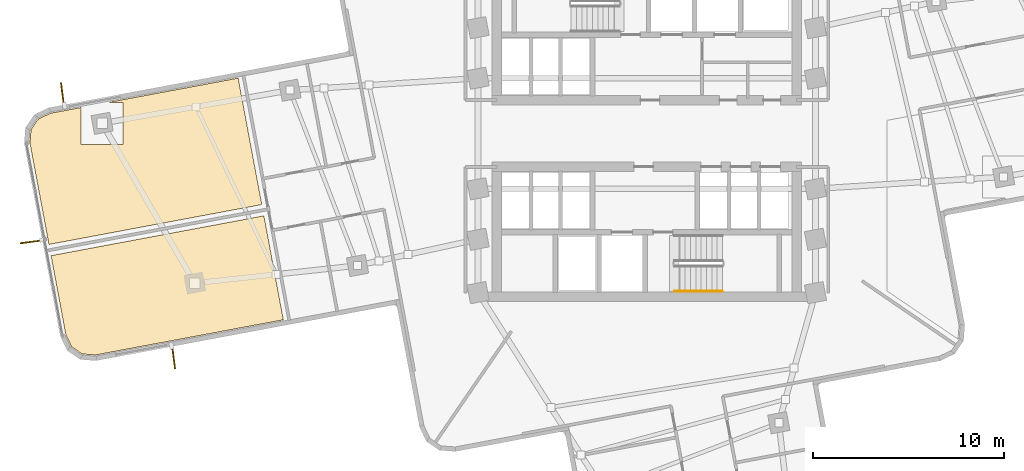
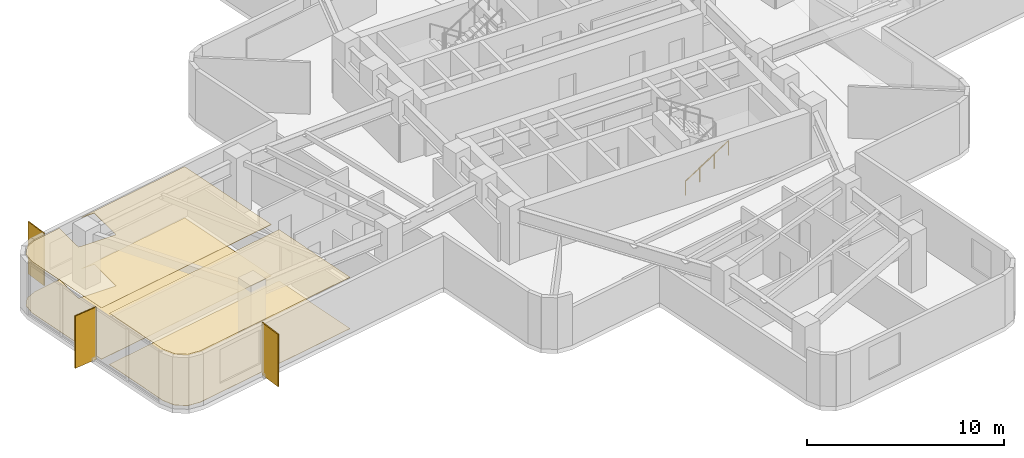
# One storey, part 10 of 12: 4 coverings, 3 shading devices, 1 railing.
"""IFC4 building model written with IfcOpenShell, lengths in metres."""

import ifcopenshell
import ifcopenshell.guid

model = None  # the IFC model being written
_history = None  # IfcOwnerHistory: only IFC2X3 demands one
_inside = {}  # id of a spatial element -> (the spatial element, [elements in it])
_under = {}  # id of a project, library or spatial element -> (it, [spatial elements below it])
_declared = {}  # id of a project -> (the project, [libraries it declares])
_typed = {}  # id of a type object -> (the type object, [elements of that type])
_made_of = {}  # id of a material, layer set ... -> (it, [elements and type objects made of it])


def new_model(schema):
    """Start an empty IFC model of exactly this schema.

    Asked for "IFC4X3", IfcOpenShell would pick the latest addendum, in which some entities
    have other attributes; the version numbers below select the first issue.
    IFC2X3 requires an IfcOwnerHistory on every rooted entity: one is made here for all.
    """
    global model, _history
    if schema == "IFC4X3":
        model = ifcopenshell.file(schema_version=(4, 3, 0, 0))
    else:
        model = ifcopenshell.file(schema=schema)
    _inside.clear()
    _under.clear()
    _declared.clear()
    _typed.clear()
    _made_of.clear()
    _history = None
    if model.schema == "IFC2X3":
        org = make("IfcOrganization", Name="unknown")
        user = make(
            "IfcPersonAndOrganization",
            ThePerson=make("IfcPerson", FamilyName="unknown"),
            TheOrganization=org,
        )
        app = make(
            "IfcApplication",
            ApplicationDeveloper=org,
            Version="unknown",
            ApplicationFullName="unknown",
            ApplicationIdentifier="unknown",
        )
        _history = make(
            "IfcOwnerHistory",
            OwningUser=user,
            OwningApplication=app,
            ChangeAction="ADDED",
            CreationDate=0,
        )
    return model


def make(cls, **values):
    """One entity of the class cls with the attributes given. An attribute that is None is left unset."""
    return model.create_entity(
        cls, **{name: value for name, value in values.items() if value is not None}
    )


def rooted(cls, **values):
    """An entity with a GlobalId (a new one), such as an element, a storey or a relation."""
    return make(cls, GlobalId=ifcopenshell.guid.new(), OwnerHistory=_history, **values)


def si_unit(unit_type, name, prefix=None):
    """IfcSIUnit, for example si_unit("LENGTHUNIT", "METRE", prefix="MILLI")."""
    return make("IfcSIUnit", UnitType=unit_type, Prefix=prefix, Name=name)


def assignment(units):
    """IfcUnitAssignment: the units of a project."""
    return None if units is None else make("IfcUnitAssignment", Units=units)


def point(xyz):
    """IfcCartesianPoint."""
    return None if xyz is None else make("IfcCartesianPoint", Coordinates=xyz)


def direction(xyz):
    """IfcDirection."""
    return None if xyz is None else make("IfcDirection", DirectionRatios=xyz)


def frame(location, z_axis=None, x_axis=None):
    """IfcAxis2Placement3D, a coordinate frame: its origin and axes. An axis left out is left unset."""
    return make(
        "IfcAxis2Placement3D",
        Location=point(location),
        Axis=direction(z_axis),
        RefDirection=direction(x_axis),
    )


def frame_2d(location, x_axis=None):
    """IfcAxis2Placement2D, a coordinate frame in the plane: its origin and x axis."""
    return make(
        "IfcAxis2Placement2D", Location=point(location), RefDirection=direction(x_axis)
    )


def origin():
    """The frame at (0, 0, 0) with its axes left unset."""
    return frame((0.0, 0.0, 0.0))


def origin_2d():
    """The frame at (0, 0) in the plane with its x axis left unset."""
    return frame_2d((0.0, 0.0))


def place(relative_to, where):
    """IfcLocalPlacement: puts the frame where relative to a parent placement (None: the world)."""
    return make(
        "IfcLocalPlacement", PlacementRelTo=relative_to, RelativePlacement=where
    )


def context(
    kind, dimensions, precision=None, world=None, true_north=None, identifier=None
):
    """IfcGeometricRepresentationContext, for example the 3D "Model" context."""
    return make(
        "IfcGeometricRepresentationContext",
        ContextIdentifier=identifier,
        ContextType=kind,
        CoordinateSpaceDimension=dimensions,
        Precision=precision,
        WorldCoordinateSystem=world,
        TrueNorth=true_north,
    )


def subcontext(parent, identifier, kind, view, scale=None):
    """IfcGeometricRepresentationSubContext, for example "Body" below "Model"."""
    return make(
        "IfcGeometricRepresentationSubContext",
        ContextIdentifier=identifier,
        ContextType=kind,
        ParentContext=parent,
        TargetScale=scale,
        TargetView=view,
    )


def project(units=None, contexts=None):
    """IfcProject with its units and contexts."""
    return rooted(
        "IfcProject",
        Name="project",
        RepresentationContexts=contexts,
        UnitsInContext=assignment(units),
    )


def spatial(cls, under=None, at=None, **own):
    """A site, building, storey or space (cls), placed at a placement, below another one or the project."""
    s = rooted(cls, ObjectPlacement=at, **own)
    if under is not None:
        _under.setdefault(under.id(), (under, []))[1].append(s)
    return s


def polyline(points):
    """IfcPolyline through the points."""
    return make("IfcPolyline", Points=[point(p) for p in points])


def profile(cls, at=None, kind="AREA", **sizes):
    """A parametric profile (cls). Its sizes go by their IFC names, for example OverallWidth=200.0."""
    return make(cls, ProfileType=kind, Position=at, **sizes)


def rectangle(**sizes):
    """IfcRectangleProfileDef."""
    return profile("IfcRectangleProfileDef", **sizes)


def circle(**sizes):
    """IfcCircleProfileDef."""
    return profile("IfcCircleProfileDef", **sizes)


def outline(outer, holes=None, kind="AREA"):
    """IfcArbitraryClosedProfileDef: a profile drawn as a closed curve; with holes, ...WithVoids."""
    if holes is None:
        return make("IfcArbitraryClosedProfileDef", ProfileType=kind, OuterCurve=outer)
    return make(
        "IfcArbitraryProfileDefWithVoids",
        ProfileType=kind,
        OuterCurve=outer,
        InnerCurves=holes,
    )


def extrude(swept, where, along, depth):
    """IfcExtrudedAreaSolid: the profile swept, set in the frame where, extruded along a direction by depth."""
    return make(
        "IfcExtrudedAreaSolid",
        SweptArea=swept,
        Position=where,
        ExtrudedDirection=direction(along),
        Depth=depth,
    )


def shape(context_of_items, identifier, shape_type, items):
    """IfcShapeRepresentation: the items that make up one representation, for example the "Body"."""
    return make(
        "IfcShapeRepresentation",
        ContextOfItems=context_of_items,
        RepresentationIdentifier=identifier,
        RepresentationType=shape_type,
        Items=items,
    )


def material(Name=None, Category=None):
    """IfcMaterial."""
    return make("IfcMaterial", Name=Name, Category=Category)


def layer(
    of_material, thickness, ventilated=None, Name=None, Category=None, Priority=None
):
    """IfcMaterialLayer: one layer of a wall or slab, of a material (None: an air gap)."""
    return make(
        "IfcMaterialLayer",
        Material=of_material,
        LayerThickness=thickness,
        IsVentilated=ventilated,
        Name=Name,
        Category=Category,
        Priority=Priority,
    )


def layer_set(layers, Name=None):
    """IfcMaterialLayerSet."""
    return make("IfcMaterialLayerSet", MaterialLayers=layers, LayerSetName=Name)


def made_of(thing, what):
    """Note that an element or type object is made of a material, layer set ...; save() writes the relation."""
    if what is not None:
        _made_of.setdefault(what.id(), (what, []))[1].append(thing)
    return thing


def type_object(cls, material=None, **own):
    """A type object (cls), such as IfcWallType, which elements share."""
    return made_of(rooted(cls, **own), material)


def element(
    cls,
    number,
    at=None,
    inside=None,
    cuts=None,
    type_object=None,
    material=None,
    context=None,
    identifier="Body",
    shape_type=None,
    held_by="IfcProductDefinitionShape",
    body=None,
    shapes=None,
    **own,
):
    """One element of the class cls, such as IfcWall. Its Tag is "e" and its number.

    at: its placement. inside: the storey or other place that contains it. cuts: it is an
    opening in that element (IfcRelVoidsElement). A single representation is given by context,
    identifier, shape_type and body (its items); several are given by shapes. held_by: the class
    of the entity that holds the representations. save() writes the other relations.
    """
    e = rooted(cls, Tag="e%d" % number, ObjectPlacement=at, **own)
    if body is not None:
        shapes = [shape(context, identifier, shape_type, body)]
    if shapes is not None:
        e.Representation = make(held_by, Representations=shapes)
    if inside is not None:
        _inside.setdefault(inside.id(), (inside, []))[1].append(e)
    if cuts is not None:
        rooted(
            "IfcRelVoidsElement", RelatingBuildingElement=cuts, RelatedOpeningElement=e
        )
    if type_object is not None:
        _typed.setdefault(type_object.id(), (type_object, []))[1].append(e)
    return made_of(e, material)


def aggregate(whole, parts):
    """IfcRelAggregates: a whole, such as a stair, and the parts it consists of."""
    return rooted("IfcRelAggregates", RelatingObject=whole, RelatedObjects=parts)


def save(model, path):
    """Write the relations noted so far, then the file.

    IfcRelAggregates (storeys below a building ...), IfcRelContainedInSpatialStructure (elements
    in a storey), IfcRelDefinesByType, IfcRelAssociatesMaterial and IfcRelDeclares: one each for
    every whole, place, type object, material and project.
    """
    for whole, parts in _under.values():
        aggregate(whole, parts)
    for where, things in _inside.values():
        rooted(
            "IfcRelContainedInSpatialStructure",
            RelatedElements=things,
            RelatingStructure=where,
        )
    for kind, things in _typed.values():
        rooted("IfcRelDefinesByType", RelatedObjects=things, RelatingType=kind)
    for what, things in _made_of.values():
        rooted("IfcRelAssociatesMaterial", RelatedObjects=things, RelatingMaterial=what)
    for by, libraries in _declared.values():
        rooted("IfcRelDeclares", RelatingContext=by, RelatedDefinitions=libraries)
    model.write(path)


model = new_model("IFC4")

# Units and contexts
model_context = context("Model", 3, precision=1e-05, world=origin(), true_north=direction((0.0, 1.0)))
body_context = subcontext(model_context, "Body", "Model", "MODEL_VIEW")
ifc_project = project(units=[si_unit("LENGTHUNIT", "METRE"), si_unit("AREAUNIT", "SQUARE_METRE"), si_unit("VOLUMEUNIT", "CUBIC_METRE"), si_unit("PLANEANGLEUNIT", "RADIAN"), si_unit("MASSUNIT", "GRAM", prefix="KILO")], contexts=[model_context])

# Site, building, storey
site_placement = place(None, origin())
site = spatial("IfcSite", under=ifc_project, at=site_placement, CompositionType="ELEMENT")
building_placement = place(site_placement, origin())
building = spatial("IfcBuilding", under=site, at=building_placement, Name="Solmarez Civic Tower", CompositionType="ELEMENT")
storey_placement = place(building_placement, frame((0.0, 0.0, 103.679931640625)))
storey = spatial("IfcBuildingStorey", under=building, at=storey_placement, Name="L27", CompositionType="ELEMENT", Elevation=103.679931640625)

# Coverings
ifc_material_1 = material(Name="Perforated Mineral-Fibre Acoustic Ceiling")
ifc_layer_1 = layer(ifc_material_1, 0.02490234375)
ifc_layer_set_1 = layer_set([ifc_layer_1], Name="Perforated Mineral-Fibre Acoustic Ceiling")
covering_type_1 = type_object("IfcCoveringType", Name="COV-CEIL-ACOUSTIC", PredefinedType="CEILING", material=ifc_layer_set_1)
covering_1_placement = place(storey_placement, frame((0.0, 0.0, 3.175048828125)))
element("IfcCovering", 1, at=covering_1_placement, inside=storey, type_object=covering_type_1, Name="L27 Suspended Acoustic Ceiling 2", PredefinedType="CEILING", context=body_context, shape_type="SweptSolid", body=[
    extrude(outline(polyline([(-21.44091796875, 2.905029296875), (-28.239013671875, 1.633056640625), (-27.47607421875, 1.633056640625), (-27.47607421875, -0.56689453125), (-29.676025390625, -0.56689453125), (-29.676025390625, 1.364013671875), (-31.2900390625, 1.06201171875), (-31.928955078125, 0.756103515625), (-32.305908203125, 0.205078125), (-32.360107421875, -0.5009765625), (-31.364990234375, -5.819091796875), (-20.198974609375, -3.72900390625), (-21.44091796875, 2.905029296875)])), origin(), (0.0, 0.0, 1.0), 0.02490234375),
])
covering_2_placement = place(storey_placement, frame((0.0, 0.0, 3.175048828125)))
element("IfcCovering", 2, at=covering_2_placement, inside=storey, type_object=covering_type_1, Name="L27 Suspended Acoustic Ceiling 5", PredefinedType="CEILING", context=body_context, shape_type="SweptSolid", body=[
    extrude(outline(polyline([(-31.25390625, -6.408935546875), (-30.47998046875, -10.547119140625), (-30.174072265625, -11.18603515625), (-29.623046875, -11.56298828125), (-28.9169921875, -11.616943359375), (-19.068115234375, -9.77392578125), (-20.089111328125, -4.319091796875), (-31.25390625, -6.408935546875)])), origin(), (0.0, 0.0, 1.0), 0.02490234375),
])
ifc_material_2 = material(Name="Polished Tropical Stone Terrazzo Flooring", Category="masonry")
ifc_layer_2 = layer(ifc_material_2, 0.02001953125)
ifc_layer_set_2 = layer_set([ifc_layer_2], Name="Polished Tropical Stone Terrazzo Flooring")
covering_type_2 = type_object("IfcCoveringType", Name="COV-FLOOR-TERRAZZO", PredefinedType="FLOORING", material=ifc_layer_set_2)
covering_3_placement = place(storey_placement, origin())
element("IfcCovering", 3, at=covering_3_placement, inside=storey, type_object=covering_type_2, Name="L27 Terrazzo Floor Finish 2", PredefinedType="FLOORING", context=body_context, shape_type="SweptSolid", body=[
    extrude(outline(polyline([(-21.44091796875, 2.905029296875), (-28.239013671875, 1.633056640625), (-27.47607421875, 1.633056640625), (-27.47607421875, -0.56689453125), (-29.676025390625, -0.56689453125), (-29.676025390625, 1.364013671875), (-31.2900390625, 1.06201171875), (-31.928955078125, 0.756103515625), (-32.305908203125, 0.205078125), (-32.360107421875, -0.5009765625), (-31.364990234375, -5.819091796875), (-20.198974609375, -3.72900390625), (-21.44091796875, 2.905029296875)])), origin(), (0.0, 0.0, 1.0), 0.02001953125),
])
covering_4_placement = place(storey_placement, origin())
element("IfcCovering", 4, at=covering_4_placement, inside=storey, type_object=covering_type_2, Name="L27 Terrazzo Floor Finish 5", PredefinedType="FLOORING", context=body_context, shape_type="SweptSolid", body=[
    extrude(outline(polyline([(-31.25390625, -6.408935546875), (-30.47998046875, -10.547119140625), (-30.174072265625, -11.18603515625), (-29.623046875, -11.56298828125), (-28.9169921875, -11.616943359375), (-19.068115234375, -9.77392578125), (-20.089111328125, -4.319091796875), (-31.25390625, -6.408935546875)])), origin(), (0.0, 0.0, 1.0), 0.02001953125),
])

# Shading devices
ifc_material_3 = material(Name="Bronze Anodised Aluminium EN AW-6063 T6", Category="aluminium")
ifc_layer_3 = layer(ifc_material_3, 0.06494140625)
ifc_layer_set_3 = layer_set([ifc_layer_3], Name="Bronze Anodised Aluminium EN AW-6063 T6")
shading_device_type = type_object("IfcShadingDeviceType", Name="FIN-BRONZE-Z12", PredefinedType="USERDEFINED", material=ifc_layer_set_3)
for number, where, z_axis, x_axis, name in (
    (5, (-24.8359375, -11.673095703125, -0.0400390625), (0.0, 0.0, 1.0), (0.128362886159, -0.991727265662, 0.0), "L27 Anodised Bronze Solar Fin FIN-L27-01"),
    (6, (-32.2109375, -5.672119140625, -0.0400390625), (0.0, 0.0, 1.0), (-0.991742940745, -0.128241722859, 0.0), "L27 Anodised Bronze Solar Fin FIN-L27-02"),
    (7, (-30.64990234375, 2.0009765625, -0.0400390625), (0.0, 0.0, 1.0), (-0.128362886159, 0.991727265662, 0.0), "L27 Anodised Bronze Solar Fin FIN-L27-03"),
):
    element("IfcShadingDevice", number, at=place(storey_placement, frame(where, z_axis=z_axis, x_axis=x_axis)), inside=storey, type_object=shading_device_type, Name=name, ObjectType="FIN", PredefinedType="USERDEFINED", context=body_context, shape_type="SweptSolid", body=[
        extrude(rectangle(XDim=1.35009765625, YDim=0.06494140625, at=origin_2d()), origin(), (0.0, 0.0, 1.0), 3.239990234375),
    ])

# Railing
ifc_material_4 = material(Name="Brushed Stainless Steel Tube Handrail", Category="steel")
railing_type = type_object("IfcRailingType", Name="HANDRAIL-STAIR-900", PredefinedType="HANDRAIL", material=ifc_material_4)
railing_placement = place(storey_placement, frame((1.449951171875, -8.27001953125, 0.18017578125)))
element("IfcRailing", 8, at=railing_placement, inside=storey, type_object=railing_type, Name="L27 ST-2 stair handrail 1", PredefinedType="HANDRAIL", context=body_context, shape_type="SweptSolid", body=[
    extrude(circle(Radius=0.02392578125, at=origin_2d()), frame((0.0, 0.0, 0.8759765625), z_axis=(0.841199657755, 0.0, 0.540724639528), x_axis=(0.0, 1.0, 0.0)), (0.0, 0.0, 1.0), 2.995849609375),
    extrude(circle(Radius=0.02099609375, at=origin_2d()), origin(), (0.0, 0.0, 1.0), 0.851806640625),
    extrude(circle(Radius=0.02099609375, at=origin_2d()), frame((0.840087890625, 0.0, 0.5400390625)), (0.0, 0.0, 1.0), 0.851806640625),
    extrude(circle(Radius=0.02099609375, at=origin_2d()), frame((1.679931640625, 0.0, 1.079833984375)), (0.0, 0.0, 1.0), 0.851806640625),
    extrude(circle(Radius=0.02099609375, at=origin_2d()), frame((2.52001953125, 0.0, 1.619873046875)), (0.0, 0.0, 1.0), 0.851806640625),
])

save(model, "model.ifc")
